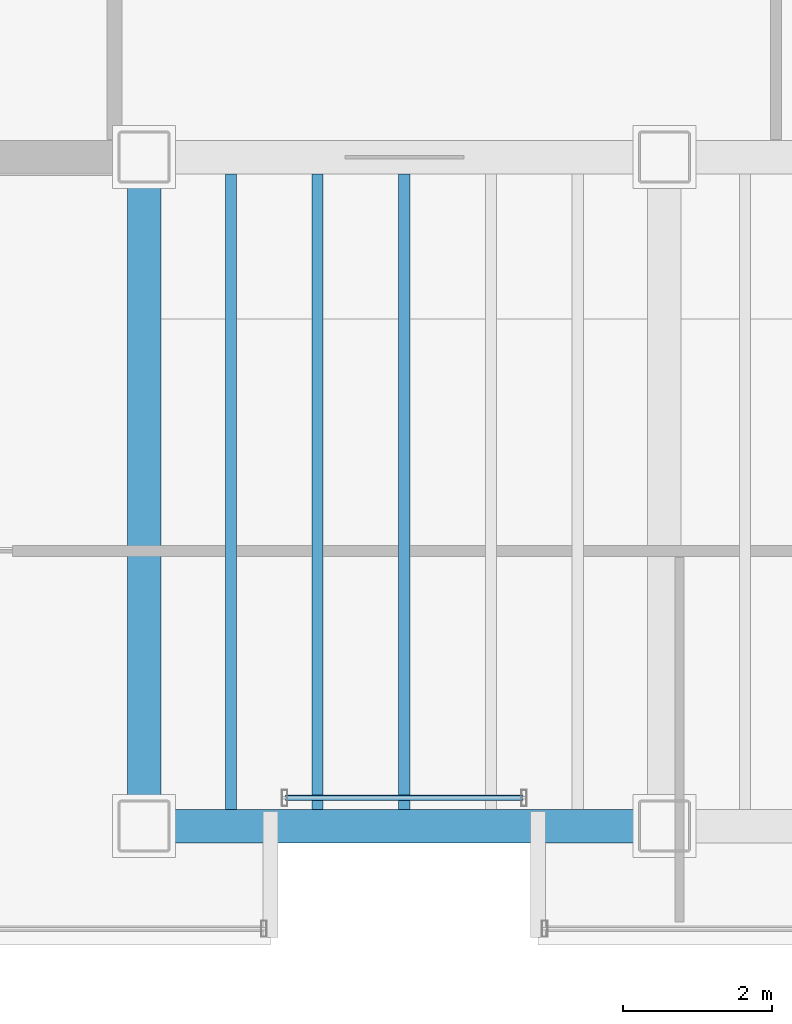
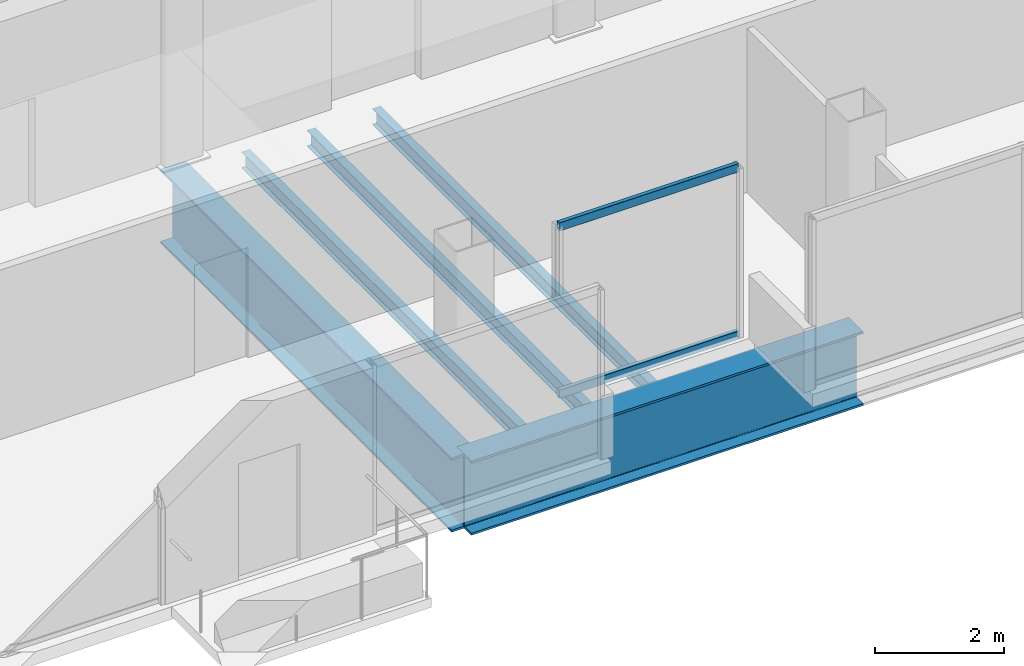
# One storey, part 3 of 17: 5 beams, 2 members, 1 element without a shape of its own.
"""IFC4 building model written with IfcOpenShell, lengths in metres."""

from ifc_helpers import new_model, si_unit, direction, frame, origin, origin_2d, place, context, subcontext, project, spatial, hollow_rectangle, i_section, extrude, material, material_profile, profile_set, type_object, element, aggregate, save


model = new_model("IFC4")

# Units and contexts
model_context = context("Model", 3, precision=1e-05, world=origin(), true_north=direction((0.0, 1.0)))
body_context = subcontext(model_context, "Body", "Model", "MODEL_VIEW")
ifc_project = project(units=[si_unit("LENGTHUNIT", "METRE"), si_unit("AREAUNIT", "SQUARE_METRE"), si_unit("VOLUMEUNIT", "CUBIC_METRE"), si_unit("PLANEANGLEUNIT", "RADIAN"), si_unit("MASSUNIT", "GRAM", prefix="KILO")], contexts=[model_context])

# Site, building, storey
site_placement = place(None, origin())
site = spatial("IfcSite", under=ifc_project, at=site_placement, CompositionType="ELEMENT")
building_placement = place(site_placement, origin())
building = spatial("IfcBuilding", under=site, at=building_placement, Name="Noeulbin Bourse Tower", CompositionType="ELEMENT")
storey_placement = place(building_placement, frame((0.0, 0.0, 281.300048828125)))
storey = spatial("IfcBuildingStorey", under=building, at=storey_placement, Name="L70", CompositionType="ELEMENT", Elevation=281.300048828125)

# Beams
ifc_material_1 = material(Name="Steel S355", Category="steel")
ifc_material_profile_1 = material_profile(ifc_material_1, i_section(OverallWidth=0.14990234375, OverallDepth=0.300048828125, WebThickness=0.006591796875, FlangeThickness=0.009033203125, FilletRadius=0.012939453125, at=origin_2d()), Name="H-300x150x6.5x9", Category="LoadBearing")
ifc_profile_set_1 = profile_set([ifc_material_profile_1], Name="Steel S355")
beam_type_1 = type_object("IfcBeamType", Name="BM-JST-300", PredefinedType="JOIST", material=ifc_profile_set_1)
for number, where, z_axis, x_axis, name in (
    (1, (25.166748046875, 20.22509765625, -0.39013671875), (0.0, 1.0, 0.0), (-1.0, 0.0, 0.0), "Tower Composite Joist L70-01"),
    (2, (26.333251953125, 20.22509765625, -0.39013671875), (0.0, 1.0, 0.0), (-1.0, 0.0, 0.0), "Tower Composite Joist L70-03"),
    (3, (27.5, 20.22509765625, -0.39013671875), (0.0, 1.0, 0.0), (-1.0, 0.0, 0.0), "Tower Composite Joist L70-05"),
):
    element("IfcBeam", number, at=place(storey_placement, frame(where, z_axis=z_axis, x_axis=x_axis)), inside=storey, type_object=beam_type_1, Name=name, PredefinedType="JOIST", context=body_context, shape_type="SweptSolid", body=[
        extrude(i_section(OverallWidth=0.14990234375, OverallDepth=0.300048828125, WebThickness=0.006591796875, FlangeThickness=0.009033203125, FilletRadius=0.012939453125, at=origin_2d()), origin(), (0.0, 0.0, 1.0), 8.5498046875),
    ])
ifc_material_2 = material(Name="Steel S460", Category="steel")
ifc_material_profile_2 = material_profile(ifc_material_2, i_section(OverallWidth=0.449951171875, OverallDepth=1.39990234375, WebThickness=0.02392578125, FlangeThickness=0.0400390625, FilletRadius=0.02392578125, at=origin_2d()), Name="PG-1400x450x24x40", Category="LoadBearing")
ifc_profile_set_2 = profile_set([ifc_material_profile_2], Name="Steel S460")
beam_type_2 = type_object("IfcBeamType", Name="BM-TRF-1400", PredefinedType="USERDEFINED", material=ifc_profile_set_2)
beam_1_placement = place(storey_placement, frame((24.0, 20.0, -0.93994140625), z_axis=(1.0, 0.0, 0.0), x_axis=(0.0, 1.0, 0.0)))
element("IfcBeam", 4, at=beam_1_placement, inside=storey, type_object=beam_type_2, Name="Tower Primary Girder EW L70-1.1", ObjectType="GIRDER", PredefinedType="USERDEFINED", context=body_context, shape_type="SweptSolid", body=[
    extrude(i_section(OverallWidth=0.449951171875, OverallDepth=1.39990234375, WebThickness=0.02392578125, FlangeThickness=0.0400390625, FilletRadius=0.02392578125, at=origin_2d()), origin(), (0.0, 0.0, 1.0), 7.0),
])
beam_2_placement = place(storey_placement, frame((24.0, 20.0, -0.93994140625), z_axis=(0.0, 1.0, 0.0), x_axis=(-1.0, 0.0, 0.0)))
element("IfcBeam", 5, at=beam_2_placement, inside=storey, type_object=beam_type_2, Name="Tower Primary Girder NS L70-2.1", ObjectType="GIRDER", PredefinedType="USERDEFINED", context=body_context, shape_type="SweptSolid", body=[
    extrude(i_section(OverallWidth=0.449951171875, OverallDepth=1.39990234375, WebThickness=0.02392578125, FlangeThickness=0.0400390625, FilletRadius=0.02392578125, at=origin_2d()), origin(), (0.0, 0.0, 1.0), 9.0),
])

# Curtain wall, members
ifc_material_3 = material(Name="High-Selectivity Low-Iron Glazing", Category="glass")
curtain_wall_type = type_object("IfcCurtainWallType", Name="CW-SYS-4", PredefinedType="NOTDEFINED", material=ifc_material_3)
curtain_wall_placement = place(storey_placement, origin())
curtain_wall = element("IfcCurtainWall", 6, at=curtain_wall_placement, inside=storey, type_object=curtain_wall_type, Name="Unitised Curtain Wall CW-L70-SREC", PredefinedType="NOTDEFINED")
ifc_material_4 = material(Name="Anodised Aluminium 6063-T6", Category="aluminium")
ifc_material_profile_3 = material_profile(ifc_material_4, hollow_rectangle(XDim=0.074951171875, YDim=0.159912109375, WallThickness=0.0048828125, InnerFilletRadius=0.00244140625, OuterFilletRadius=0.0048828125, at=origin_2d()), Name="ALU-TRAN-75x160x5", Category="LoadBearing")
ifc_profile_set_3 = profile_set([ifc_material_profile_3], Name="Anodised Aluminium 6063-T6")
member_type = type_object("IfcMemberType", Name="CW-SYS-4-TRN", PredefinedType="USERDEFINED", material=ifc_profile_set_3)
member_1_placement = place(storey_placement, frame((25.89990234375, 20.3798828125, 0.010009765625), z_axis=(1.0, 0.0, 0.0), x_axis=(0.0, 1.0, 0.0)))
member_1 = element("IfcMember", 7, at=member_1_placement, type_object=member_type, Name="Curtain Wall Transom CW-L70-SREC-T00", ObjectType="TRANSOM", PredefinedType="USERDEFINED", context=body_context, shape_type="SweptSolid", body=[
    extrude(hollow_rectangle(XDim=0.074951171875, YDim=0.159912109375, WallThickness=0.0048828125, InnerFilletRadius=0.00244140625, OuterFilletRadius=0.0048828125, at=origin_2d()), origin(), (0.0, 0.0, 1.0), 3.2001953125),
])
member_2_placement = place(storey_placement, frame((25.89990234375, 20.3798828125, 3.169921875), z_axis=(1.0, 0.0, 0.0), x_axis=(0.0, 1.0, 0.0)))
member_2 = element("IfcMember", 8, at=member_2_placement, type_object=member_type, Name="Curtain Wall Transom CW-L70-SREC-T01", ObjectType="TRANSOM", PredefinedType="USERDEFINED", context=body_context, shape_type="SweptSolid", body=[
    extrude(hollow_rectangle(XDim=0.074951171875, YDim=0.159912109375, WallThickness=0.0048828125, InnerFilletRadius=0.00244140625, OuterFilletRadius=0.0048828125, at=origin_2d()), origin(), (0.0, 0.0, 1.0), 3.2001953125),
])
aggregate(curtain_wall, [member_1, member_2])

save(model, "model.ifc")
